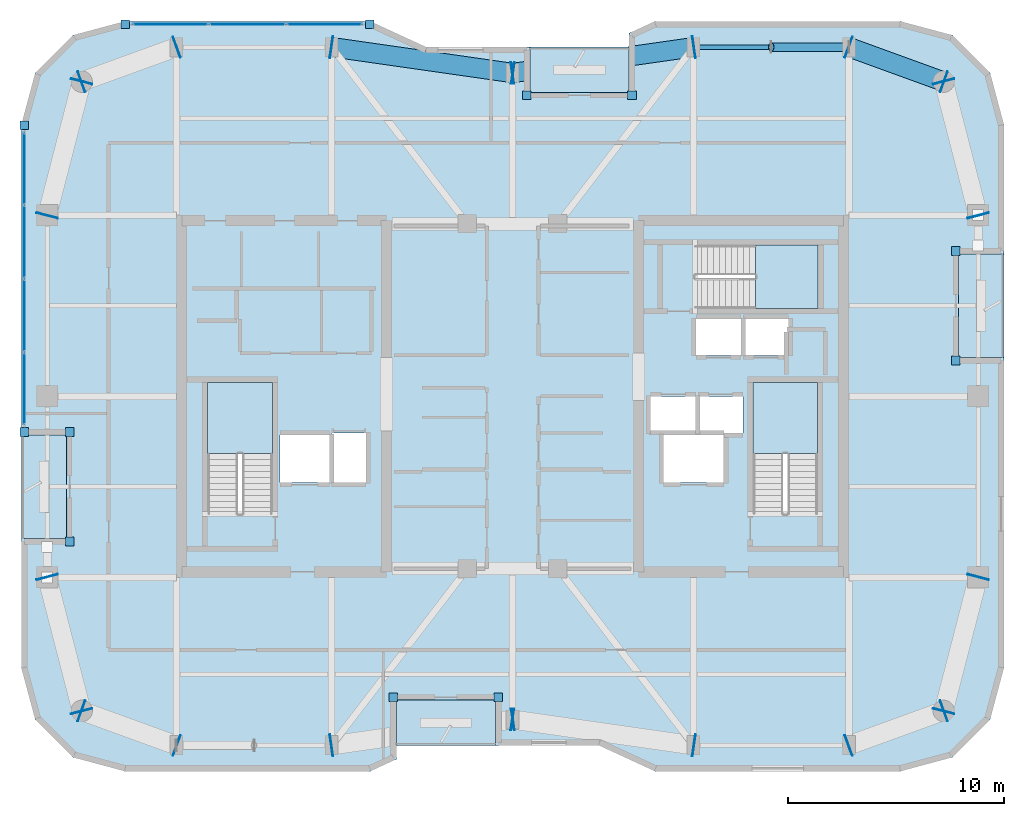
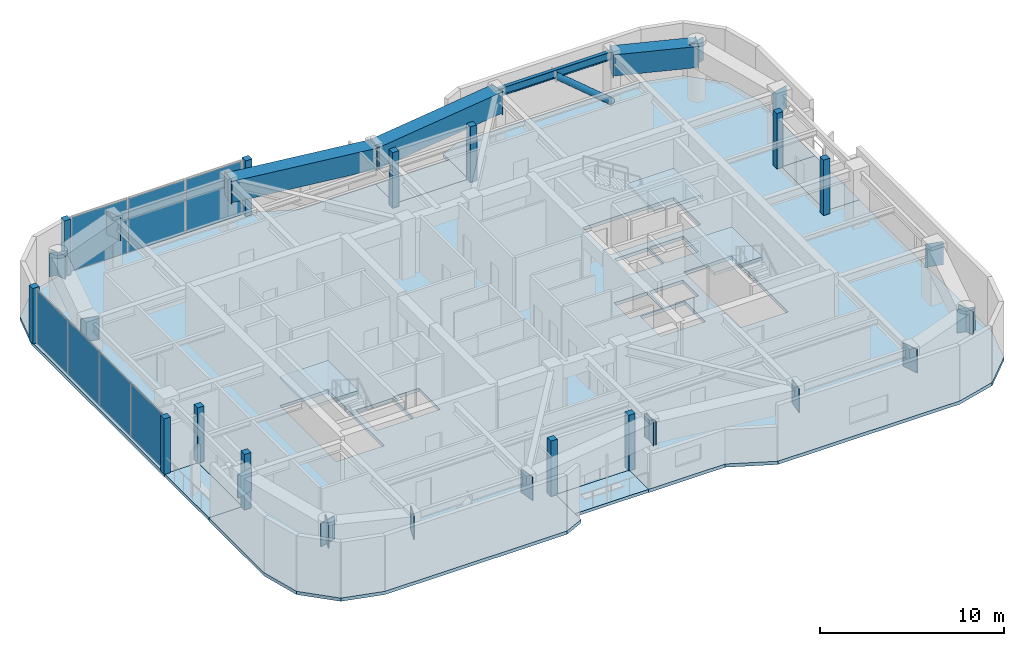
# One storey, part 7 of 15: 43 plates, 8 slabs, 4 beams, 1 member, 5 elements without a shape of their own.
"""IFC4 building model written with IfcOpenShell, lengths in metres."""

from ifc_helpers import new_model, si_unit, direction, frame, origin, origin_2d, place, context, subcontext, project, spatial, polyline, rectangle, hollow_rectangle, hollow_circle, i_section, outline, extrude, material, layer, layer_set, material_profile, profile_set, type_object, element, aggregate, save


model = new_model("IFC4")

# Units and contexts
model_context = context("Model", 3, precision=1e-05, world=origin(), true_north=direction((0.0, 1.0)))
body_context = subcontext(model_context, "Body", "Model", "MODEL_VIEW")
ifc_project = project(units=[si_unit("LENGTHUNIT", "METRE"), si_unit("AREAUNIT", "SQUARE_METRE"), si_unit("VOLUMEUNIT", "CUBIC_METRE"), si_unit("PLANEANGLEUNIT", "RADIAN"), si_unit("MASSUNIT", "GRAM", prefix="KILO")], contexts=[model_context])

# Site, building, storey
site_placement = place(None, origin())
site = spatial("IfcSite", under=ifc_project, at=site_placement, CompositionType="ELEMENT")
building_placement = place(site_placement, origin())
building = spatial("IfcBuilding", under=site, at=building_placement, Name="Kiyonajd Concourse Tower", CompositionType="ELEMENT")
storey_placement = place(building_placement, frame((0.0, 0.0, 286.199951171875)))
storey = spatial("IfcBuildingStorey", under=building, at=storey_placement, Name="L72", CompositionType="ELEMENT", Elevation=286.199951171875)

# Beams
ifc_material_1 = material(Name="Steel ASTM A992 Grade 50", Category="steel")
ifc_material_profile_1 = material_profile(ifc_material_1, i_section(OverallWidth=0.2109375, OverallDepth=0.5390625, WebThickness=0.01171875, FlangeThickness=0.018798828125, at=origin_2d()), Name="W530X109")
ifc_profile_set_1 = profile_set([ifc_material_profile_1], Name="Steel ASTM A992 Grade 50")
beam_type_1 = type_object("IfcBeamType", Name="BM-SPAN-530B", PredefinedType="SPANDREL", material=ifc_profile_set_1)
beam_1_placement = place(storey_placement, frame((63.60009765625, 52.199951171875, 3.41064453125), z_axis=(-1.0, 0.0, 0.0), x_axis=(0.0, -1.0, 0.0)))
element("IfcBeam", 1, at=beam_1_placement, inside=storey, type_object=beam_type_1, Name="L72 Perimeter Bundled Tube Spandrel", PredefinedType="SPANDREL", context=body_context, shape_type="SweptSolid", body=[
    extrude(i_section(OverallWidth=0.2109375, OverallDepth=0.5390625, WebThickness=0.01171875, FlangeThickness=0.018798828125, at=origin_2d()), origin(), (0.0, 0.0, 1.0), 7.2001953125),
])
ifc_material_2 = material(Name="Steel ASTM A572 Grade 50", Category="steel")
ifc_material_profile_2 = material_profile(ifc_material_2, hollow_rectangle(XDim=0.89990234375, YDim=1.39990234375, WallThickness=0.070068359375, at=origin_2d()), Name="BOX-1400x900x70")
ifc_profile_set_2 = profile_set([ifc_material_profile_2], Name="Steel ASTM A572 Grade 50")
beam_type_2 = type_object("IfcBeamType", Name="BM-XFER-1400", PredefinedType="BEAM", material=ifc_profile_set_2)
beam_2_placement = place(storey_placement, frame((68.0, 50.60009765625, 2.97998046875), z_axis=(-0.939801036019, 0.341722127901, 0.0), x_axis=(-0.341722127901, -0.939801036019, 0.0)))
element("IfcBeam", 2, at=beam_2_placement, inside=storey, type_object=beam_type_2, Name="L72 Perimeter Bundled Tube Spandrel", PredefinedType="BEAM", context=body_context, shape_type="SweptSolid", body=[
    extrude(hollow_rectangle(XDim=0.89990234375, YDim=1.39990234375, WallThickness=0.070068359375, at=origin_2d()), origin(), (0.0, 0.0, 1.0), 4.681640625),
])
for number, where, z_axis, x_axis, name in (
    (3, (56.39990234375, 52.199951171875, 2.97998046875), (-0.989950069105, -0.141417328072, 0.0), (0.141417328072, -0.989950069105, 0.0), "L72 Perimeter Bundled Tube Spandrel"),
    (4, (48.0, 51.0, 2.97998046875), (-0.989950069105, 0.141417328072, 0.0), (-0.141417328072, -0.989950069105, 0.0), "L72 Perimeter Bundled Tube Spandrel"),
):
    element("IfcBeam", number, at=place(storey_placement, frame(where, z_axis=z_axis, x_axis=x_axis)), inside=storey, type_object=beam_type_2, Name=name, PredefinedType="BEAM", context=body_context, shape_type="SweptSolid", body=[
        extrude(hollow_rectangle(XDim=0.89990234375, YDim=1.39990234375, WallThickness=0.070068359375, at=origin_2d()), origin(), (0.0, 0.0, 1.0), 8.485107421875),
    ])

# Member
ifc_material_3 = material(Name="Steel ASTM A500 Grade C", Category="steel")
ifc_material_profile_3 = material_profile(ifc_material_3, hollow_circle(Radius=0.202880859375, WallThickness=0.01904296875, at=origin_2d()), Name="CHS-406x19")
ifc_profile_set_3 = profile_set([ifc_material_profile_3], Name="Steel ASTM A500 Grade C")
member_type = type_object("IfcMemberType", Name="MB-PB-HIGH", PredefinedType="BRACE", material=ifc_profile_set_3)
member_placement = place(storey_placement, frame((63.60009765625, 52.199951171875, 0.300048828125), z_axis=(-0.765082043761, 0.0, 0.643932811957), x_axis=(0.0, -1.0, 0.0)))
element("IfcMember", 5, at=member_placement, inside=storey, type_object=member_type, Name="L72 Upper Zone Hollow Tube Brace PBN", PredefinedType="BRACE", context=body_context, shape_type="SweptSolid", body=[
    extrude(hollow_circle(Radius=0.202880859375, WallThickness=0.01904296875, at=origin_2d()), origin(), (0.0, 0.0, 1.0), 4.70556640625),
])

# Plates
ifc_layer_1 = layer(ifc_material_2, 0.031982421875)
ifc_layer_set_1 = layer_set([ifc_layer_1], Name="Steel ASTM A572 Grade 50")
plate_type_1 = type_object("IfcPlateType", Name="PL-CAP-540", PredefinedType="USERDEFINED", material=ifc_layer_set_1)
for number, where, z_axis, x_axis, name in (
    (6, (26.397216796875, 27.610595703125, 2.2099609375), (0.0, 0.0, 1.0), (-0.249873048837, 0.968278606324, 0.0), "L72 Welded Box Girder End Cap"),
    (7, (28.002685546875, 21.389404296875, 2.2099609375), (0.0, 0.0, 1.0), (0.249873048837, -0.968278606324, 0.0), "L72 Welded Box Girder End Cap"),
    (8, (27.98974609375, 21.40380859375, 2.2099609375), (0.0, 0.0, 1.0), (-0.939811951086, 0.341692107891, 0.0), "L72 Welded Box Girder End Cap"),
    (9, (32.410400390625, 19.796142578125, 2.2099609375), (0.0, 0.0, 1.0), (0.939811951086, -0.341692107891, 0.0), "L72 Welded Box Girder End Cap"),
    (10, (39.589111328125, 19.79833984375, 2.2099609375), (0.0, 0.0, 1.0), (-0.989949746297, -0.141419587774, 0.0), "L72 Welded Box Girder End Cap"),
    (11, (48.010986328125, 21.001708984375, 2.2099609375), (0.0, 0.0, 1.0), (0.989949746297, 0.141419587774, 0.0), "L72 Welded Box Girder End Cap"),
    (12, (47.989013671875, 21.001708984375, 2.2099609375), (0.0, 0.0, 1.0), (-0.989949746297, 0.141419587774, 0.0), "L72 Welded Box Girder End Cap"),
    (13, (56.410888671875, 19.79833984375, 2.2099609375), (0.0, 0.0, 1.0), (0.989949746297, -0.141419587774, 0.0), "L72 Welded Box Girder End Cap"),
    (14, (63.589599609375, 19.796142578125, 2.2099609375), (0.0, 0.0, 1.0), (-0.939811951086, -0.341692107891, 0.0), "L72 Welded Box Girder End Cap"),
    (15, (68.01025390625, 21.40380859375, 2.2099609375), (0.0, 0.0, 1.0), (0.939811951086, 0.341692107891, 0.0), "L72 Welded Box Girder End Cap"),
    (16, (67.997314453125, 21.389404296875, 2.2099609375), (0.0, 0.0, 1.0), (-0.249873048837, -0.968278606324, 0.0), "L72 Welded Box Girder End Cap"),
    (17, (69.602783203125, 27.610595703125, 2.2099609375), (0.0, 0.0, 1.0), (0.249873048837, 0.968278606324, 0.0), "L72 Welded Box Girder End Cap"),
    (18, (69.602783203125, 44.389404296875, 2.2099609375), (0.0, 0.0, 1.0), (0.249873048837, -0.968278606324, 0.0), "L72 Welded Box Girder End Cap"),
    (19, (67.997314453125, 50.610595703125, 2.2099609375), (0.0, 0.0, 1.0), (-0.249873048837, 0.968278606324, 0.0), "L72 Welded Box Girder End Cap"),
    (20, (68.01025390625, 50.59619140625, 2.2099609375), (0.0, 0.0, 1.0), (0.939811951086, -0.341692107891, 0.0), "L72 Welded Box Girder End Cap"),
    (21, (63.589599609375, 52.203857421875, 2.2099609375), (0.0, 0.0, 1.0), (-0.939811951086, 0.341692107891, 0.0), "L72 Welded Box Girder End Cap"),
    (22, (56.410888671875, 52.20166015625, 2.2099609375), (0.0, 0.0, 1.0), (0.989949746297, 0.141419587774, 0.0), "L72 Welded Box Girder End Cap"),
    (23, (47.989013671875, 50.998291015625, 2.2099609375), (0.0, 0.0, 1.0), (-0.989949746297, -0.141419587774, 0.0), "L72 Welded Box Girder End Cap"),
    (24, (48.010986328125, 50.998291015625, 2.2099609375), (0.0, 0.0, 1.0), (0.989949746297, -0.141419587774, 0.0), "L72 Welded Box Girder End Cap"),
    (25, (39.589111328125, 52.20166015625, 2.2099609375), (0.0, 0.0, 1.0), (-0.989949746297, 0.141419587774, 0.0), "L72 Welded Box Girder End Cap"),
    (26, (32.410400390625, 52.203857421875, 2.2099609375), (0.0, 0.0, 1.0), (0.939811951086, 0.341692107891, 0.0), "L72 Welded Box Girder End Cap"),
    (27, (27.98974609375, 50.59619140625, 2.2099609375), (0.0, 0.0, 1.0), (-0.939811951086, -0.341692107891, 0.0), "L72 Welded Box Girder End Cap"),
    (28, (28.002685546875, 50.610595703125, 2.2099609375), (0.0, 0.0, 1.0), (0.249873048837, 0.968278606324, 0.0), "L72 Welded Box Girder End Cap"),
    (29, (26.397216796875, 44.389404296875, 2.2099609375), (0.0, 0.0, 1.0), (-0.249873048837, -0.968278606324, 0.0), "L72 Welded Box Girder End Cap"),
):
    element("IfcPlate", number, at=place(storey_placement, frame(where, z_axis=z_axis, x_axis=x_axis)), inside=storey, type_object=plate_type_1, Name=name, ObjectType="CAP PLATE", PredefinedType="USERDEFINED", context=body_context, shape_type="SweptSolid", body=[
        extrude(rectangle(XDim=0.035888671875, YDim=1.02001953125, at=origin_2d()), origin(), (0.0, 0.0, 1.0), 1.5400390625),
    ])

# Curtain wall, plates
ifc_material_4 = material(Name="Thermally Broken Anodised Aluminium", Category="aluminium")
ifc_layer_2 = layer(ifc_material_4, 0.179931640625)
ifc_layer_set_2 = layer_set([ifc_layer_2], Name="Thermally Broken Anodised Aluminium")
curtain_wall_type = type_object("IfcCurtainWallType", Name="CW-SYS-04", PredefinedType="NOTDEFINED", material=ifc_layer_set_2)
curtain_wall_1_placement = place(storey_placement, origin())
curtain_wall_1 = element("IfcCurtainWall", 30, at=curtain_wall_1_placement, inside=storey, type_object=curtain_wall_type, Name="L72 Unitised Curtain Wall CW4", PredefinedType="NOTDEFINED")
ifc_material_5 = material(Name="Double Low-E Insulated Glass", Category="glass")
ifc_layer_3 = layer(ifc_material_5, 0.033935546875)
ifc_layer_set_3 = layer_set([ifc_layer_3], Name="Double Low-E Insulated Glass")
plate_type_2 = type_object("IfcPlateType", Name="PL-CW-VIS34", PredefinedType="CURTAIN_PANEL", material=ifc_layer_set_3)
plate_1_placement = place(storey_placement, frame((25.340087890625, 36.35400390625, 0.06494140625), z_axis=(0.0, 0.0, 1.0), x_axis=(0.0, 1.0, 0.0)))
plate_1 = element("IfcPlate", 31, at=plate_1_placement, type_object=plate_type_2, Name="CW4 panel 1.1", PredefinedType="CURTAIN_PANEL", context=body_context, shape_type="SweptSolid", body=[
    extrude(rectangle(XDim=3.31787109375, YDim=0.033935546875, at=origin_2d()), origin(), (0.0, 0.0, 1.0), 3.550048828125),
])
plate_2_placement = place(storey_placement, frame((25.340087890625, 39.753173828125, 0.06494140625), z_axis=(0.0, 0.0, 1.0), x_axis=(0.0, 1.0, 0.0)))
plate_2 = element("IfcPlate", 32, at=plate_2_placement, type_object=plate_type_2, Name="CW4 panel 2.1", PredefinedType="CURTAIN_PANEL", context=body_context, shape_type="SweptSolid", body=[
    extrude(rectangle(XDim=3.350341796875, YDim=0.033935546875, at=origin_2d()), origin(), (0.0, 0.0, 1.0), 3.550048828125),
])
plate_3_placement = place(storey_placement, frame((25.340087890625, 43.16845703125, 0.06494140625), z_axis=(0.0, 0.0, 1.0), x_axis=(0.0, 1.0, 0.0)))
plate_3 = element("IfcPlate", 33, at=plate_3_placement, type_object=plate_type_2, Name="CW4 panel 3.1", PredefinedType="CURTAIN_PANEL", context=body_context, shape_type="SweptSolid", body=[
    extrude(rectangle(XDim=3.350341796875, YDim=0.033935546875, at=origin_2d()), origin(), (0.0, 0.0, 1.0), 3.550048828125),
])
plate_4_placement = place(storey_placement, frame((25.340087890625, 46.567626953125, 0.06494140625), z_axis=(0.0, 0.0, 1.0), x_axis=(0.0, 1.0, 0.0)))
plate_4 = element("IfcPlate", 34, at=plate_4_placement, type_object=plate_type_2, Name="CW4 panel 4.1", PredefinedType="CURTAIN_PANEL", context=body_context, shape_type="SweptSolid", body=[
    extrude(rectangle(XDim=3.31787109375, YDim=0.033935546875, at=origin_2d()), origin(), (0.0, 0.0, 1.0), 3.550048828125),
])
aggregate(curtain_wall_1, [plate_1, plate_2, plate_3, plate_4])

curtain_wall_2_placement = place(storey_placement, origin())
curtain_wall_2 = element("IfcCurtainWall", 35, at=curtain_wall_2_placement, inside=storey, type_object=curtain_wall_type, Name="L72 Unitised Curtain Wall CW4", PredefinedType="NOTDEFINED")
plate_5_placement = place(storey_placement, frame((32.119873046875, 53.260009765625, 0.06494140625), z_axis=(0.0, 0.0, 1.0), x_axis=(1.0, 0.0, 0.0)))
plate_5 = element("IfcPlate", 36, at=plate_5_placement, type_object=plate_type_2, Name="CW4 panel 1.1", PredefinedType="CURTAIN_PANEL", context=body_context, shape_type="SweptSolid", body=[
    extrude(rectangle(XDim=3.492919921875, YDim=0.033935546875, at=origin_2d()), origin(), (0.0, 0.0, 1.0), 3.550048828125),
])
plate_6_placement = place(storey_placement, frame((35.69384765625, 53.260009765625, 0.06494140625), z_axis=(0.0, 0.0, 1.0), x_axis=(1.0, 0.0, 0.0)))
plate_6 = element("IfcPlate", 37, at=plate_6_placement, type_object=plate_type_2, Name="CW4 panel 2.1", PredefinedType="CURTAIN_PANEL", context=body_context, shape_type="SweptSolid", body=[
    extrude(rectangle(XDim=3.525390625, YDim=0.033935546875, at=origin_2d()), origin(), (0.0, 0.0, 1.0), 3.550048828125),
])
plate_7_placement = place(storey_placement, frame((39.267822265625, 53.260009765625, 0.06494140625), z_axis=(0.0, 0.0, 1.0), x_axis=(1.0, 0.0, 0.0)))
plate_7 = element("IfcPlate", 38, at=plate_7_placement, type_object=plate_type_2, Name="CW4 panel 3.1", PredefinedType="CURTAIN_PANEL", context=body_context, shape_type="SweptSolid", body=[
    extrude(rectangle(XDim=3.492919921875, YDim=0.033935546875, at=origin_2d()), origin(), (0.0, 0.0, 1.0), 3.550048828125),
])
aggregate(curtain_wall_2, [plate_5, plate_6, plate_7])

# Plates
ifc_layer_4 = layer(ifc_material_4, 0.39990234375)
ifc_layer_set_4 = layer_set([ifc_layer_4], Name="Thermally Broken Anodised Aluminium")
plate_type_3 = type_object("IfcPlateType", Name="PL-JMB-400", PredefinedType="USERDEFINED", material=ifc_layer_set_4)
for number, where, z_axis, x_axis, name in (
    (39, (27.43994140625, 29.260009765625, 0.0), (0.0, 0.0, 1.0), (1.0, 0.0, 0.0), "L72 Facade Jamb Closure Plate 01"),
    (40, (27.43994140625, 34.340087890625, 0.0), (0.0, 0.0, 1.0), (1.0, 0.0, 0.0), "L72 Facade Jamb Closure Plate 02"),
    (41, (25.340087890625, 34.340087890625, 0.0), (0.0, 0.0, 1.0), (1.0, 0.0, 0.0), "L72 Facade Jamb Closure Plate 03"),
    (42, (25.340087890625, 48.58154296875, 0.0), (0.0, 0.0, 1.0), (1.0, 0.0, 0.0), "L72 Facade Jamb Closure Plate 04"),
    (43, (30.018310546875, 53.260009765625, 0.0), (0.0, 0.0, 1.0), (1.0, 0.0, 0.0), "L72 Facade Jamb Closure Plate 05"),
    (44, (41.369384765625, 53.260009765625, 0.0), (0.0, 0.0, 1.0), (1.0, 0.0, 0.0), "L72 Facade Jamb Closure Plate 06"),
    (45, (48.659912109375, 49.9599609375, 0.0), (0.0, 0.0, 1.0), (1.0, 0.0, 0.0), "L72 Facade Jamb Closure Plate 07"),
    (46, (53.5400390625, 49.9599609375, 0.0), (0.0, 0.0, 1.0), (1.0, 0.0, 0.0), "L72 Facade Jamb Closure Plate 08"),
    (47, (68.56005859375, 42.739990234375, 0.0), (0.0, 0.0, 1.0), (1.0, 0.0, 0.0), "L72 Facade Jamb Closure Plate 09"),
    (48, (68.56005859375, 37.659912109375, 0.0), (0.0, 0.0, 1.0), (1.0, 0.0, 0.0), "L72 Facade Jamb Closure Plate 10"),
    (49, (47.340087890625, 22.0400390625, 0.0), (0.0, 0.0, 1.0), (1.0, 0.0, 0.0), "L72 Facade Jamb Closure Plate 11"),
    (50, (42.4599609375, 22.0400390625, 0.0), (0.0, 0.0, 1.0), (1.0, 0.0, 0.0), "L72 Facade Jamb Closure Plate 12"),
):
    element("IfcPlate", number, at=place(storey_placement, frame(where, z_axis=z_axis, x_axis=x_axis)), inside=storey, type_object=plate_type_3, Name=name, ObjectType="JAMB PLATE", PredefinedType="USERDEFINED", context=body_context, shape_type="SweptSolid", body=[
        extrude(rectangle(XDim=0.39990234375, YDim=0.39990234375, at=origin_2d()), origin(), (0.0, 0.0, 1.0), 3.679931640625),
    ])

# Stair, slab
ifc_material_6 = material(Name="Concrete C40/50", Category="concrete")
stair_type = type_object("IfcStairType", Name="ST-DLG-22R", PredefinedType="HALF_TURN_STAIR", material=ifc_material_6)
stair_1_placement = place(storey_placement, origin())
stair_1 = element("IfcStair", 51, at=stair_1_placement, inside=storey, type_object=stair_type, Name="L72 Protected Exit Stair ST1", PredefinedType="HALF_TURN_STAIR")
ifc_layer_5 = layer(ifc_material_6, 0.199951171875)
ifc_layer_set_5 = layer_set([ifc_layer_5], Name="Concrete C40/50")
slab_type_1 = type_object("IfcSlabType", Name="SL-LND-200", PredefinedType="LANDING", material=ifc_layer_set_5)
slab_1_placement = place(storey_placement, frame((0.0, 0.0, 1.75)))
slab_1 = element("IfcSlab", 52, at=slab_1_placement, type_object=slab_type_1, Name="ST1 landing 1", PredefinedType="LANDING", context=body_context, shape_type="SweptSolid", body=[
    extrude(outline(polyline([(36.85009765625, 33.35009765625), (36.85009765625, 36.64990234375), (33.85009765625, 36.64990234375), (33.85009765625, 33.35009765625), (36.85009765625, 33.35009765625)])), origin(), (0.0, 0.0, 1.0), 0.199951171875),
])
aggregate(stair_1, [slab_1])

stair_2_placement = place(storey_placement, origin())
stair_2 = element("IfcStair", 53, at=stair_2_placement, inside=storey, type_object=stair_type, Name="L72 Protected Exit Stair ST2", PredefinedType="HALF_TURN_STAIR")
slab_2_placement = place(storey_placement, frame((0.0, 0.0, 1.75)))
slab_2 = element("IfcSlab", 54, at=slab_2_placement, type_object=slab_type_1, Name="ST2 landing 1", PredefinedType="LANDING", context=body_context, shape_type="SweptSolid", body=[
    extrude(outline(polyline([(62.14990234375, 33.35009765625), (62.14990234375, 36.64990234375), (59.14990234375, 36.64990234375), (59.14990234375, 33.35009765625), (62.14990234375, 33.35009765625)])), origin(), (0.0, 0.0, 1.0), 0.199951171875),
])
aggregate(stair_2, [slab_2])

stair_3_placement = place(storey_placement, origin())
stair_3 = element("IfcStair", 55, at=stair_3_placement, inside=storey, type_object=stair_type, Name="L72 Protected Exit Stair ST3", PredefinedType="HALF_TURN_STAIR")
slab_3_placement = place(storey_placement, frame((0.0, 0.0, 1.75)))
slab_3 = element("IfcSlab", 56, at=slab_3_placement, type_object=slab_type_1, Name="ST3 landing 1", PredefinedType="LANDING", context=body_context, shape_type="SweptSolid", body=[
    extrude(outline(polyline([(59.280029296875, 40.080078125), (62.179931640625, 40.080078125), (62.179931640625, 43.02001953125), (59.280029296875, 43.02001953125), (59.280029296875, 40.080078125)])), origin(), (0.0, 0.0, 1.0), 0.199951171875),
])
aggregate(stair_3, [slab_3])

# Slabs
ifc_material_7 = material(Name="Precast concrete C50/60", Category="concrete")
ifc_layer_6 = layer(ifc_material_7, 0.199951171875)
ifc_layer_set_6 = layer_set([ifc_layer_6], Name="Precast concrete C50/60")
slab_type_2 = type_object("IfcSlabType", Name="SL-LOG-200", PredefinedType="FLOOR", material=ifc_layer_set_6)
slab_4_placement = place(storey_placement, frame((0.0, 0.0, -0.199951171875)))
element("IfcSlab", 57, at=slab_4_placement, inside=storey, type_object=slab_type_2, Name="L72 Recessed Engawa Loggia Terrace Slab LOG-S", PredefinedType="FLOOR", context=body_context, shape_type="SweptSolid", body=[
    extrude(outline(polyline([(42.60009765625, 19.800048828125), (47.199951171875, 19.800048828125), (47.199951171875, 21.89990234375), (42.60009765625, 21.89990234375), (42.60009765625, 19.800048828125)])), origin(), (0.0, 0.0, 1.0), 0.199951171875),
])
slab_5_placement = place(storey_placement, frame((0.0, 0.0, -0.199951171875)))
element("IfcSlab", 58, at=slab_5_placement, inside=storey, type_object=slab_type_2, Name="L72 Recessed Engawa Loggia Terrace Slab LOG-N", PredefinedType="FLOOR", context=body_context, shape_type="SweptSolid", body=[
    extrude(outline(polyline([(48.800048828125, 50.10009765625), (53.39990234375, 50.10009765625), (53.39990234375, 52.199951171875), (48.800048828125, 52.199951171875), (48.800048828125, 50.10009765625)])), origin(), (0.0, 0.0, 1.0), 0.199951171875),
])
slab_6_placement = place(storey_placement, frame((0.0, 0.0, -0.199951171875)))
element("IfcSlab", 59, at=slab_6_placement, inside=storey, type_object=slab_type_2, Name="L72 Recessed Engawa Loggia Terrace Slab LOG-W", PredefinedType="FLOOR", context=body_context, shape_type="SweptSolid", body=[
    extrude(outline(polyline([(25.199951171875, 29.39990234375), (27.300048828125, 29.39990234375), (27.300048828125, 34.199951171875), (25.199951171875, 34.199951171875), (25.199951171875, 29.39990234375)])), origin(), (0.0, 0.0, 1.0), 0.199951171875),
])
slab_7_placement = place(storey_placement, frame((0.0, 0.0, -0.199951171875)))
element("IfcSlab", 60, at=slab_7_placement, inside=storey, type_object=slab_type_2, Name="L72 Recessed Engawa Loggia Terrace Slab LOG-E", PredefinedType="FLOOR", context=body_context, shape_type="SweptSolid", body=[
    extrude(outline(polyline([(68.699951171875, 37.800048828125), (70.800048828125, 37.800048828125), (70.800048828125, 42.60009765625), (68.699951171875, 42.60009765625), (68.699951171875, 37.800048828125)])), origin(), (0.0, 0.0, 1.0), 0.199951171875),
])
ifc_layer_7 = layer(ifc_material_6, 0.219970703125)
ifc_layer_set_7 = layer_set([ifc_layer_7], Name="Concrete C40/50")
slab_type_3 = type_object("IfcSlabType", Name="SL-TWR-220", PredefinedType="FLOOR", material=ifc_layer_set_7)
slab_8_placement = place(storey_placement, frame((0.0, 0.0, -0.219970703125)))
element("IfcSlab", 61, at=slab_8_placement, inside=storey, type_object=slab_type_3, Name="L72 Tower Conditioned Floor Slab", PredefinedType="FLOOR", context=body_context, shape_type="SweptSolid", body=[
    extrude(outline(polyline([(25.843017578125, 21.0), (25.199951171875, 23.39990234375), (25.199951171875, 29.39990234375), (27.300048828125, 29.39990234375), (27.300048828125, 34.199951171875), (25.199951171875, 34.199951171875), (25.199951171875, 48.60009765625), (25.843017578125, 51.0), (27.60009765625, 52.757080078125), (30.0, 53.39990234375), (41.39990234375, 53.39990234375), (44.0, 52.199951171875), (48.800048828125, 52.199951171875), (48.800048828125, 50.10009765625), (53.39990234375, 50.10009765625), (53.39990234375, 52.845947265625), (54.60009765625, 53.39990234375), (66.0, 53.39990234375), (68.39990234375, 52.757080078125), (70.156982421875, 51.0), (70.800048828125, 48.60009765625), (70.800048828125, 42.60009765625), (68.699951171875, 42.60009765625), (68.699951171875, 37.800048828125), (70.800048828125, 37.800048828125), (70.800048828125, 23.39990234375), (70.156982421875, 21.0), (68.39990234375, 19.242919921875), (66.0, 18.60009765625), (54.60009765625, 18.60009765625), (52.0, 19.800048828125), (47.199951171875, 19.800048828125), (47.199951171875, 21.89990234375), (42.60009765625, 21.89990234375), (42.60009765625, 19.154052734375), (41.39990234375, 18.60009765625), (30.0, 18.60009765625), (27.60009765625, 19.242919921875), (25.843017578125, 21.0)]), holes=[polyline([(39.5, 32.0), (37.199951171875, 32.0), (37.199951171875, 34.199951171875), (39.5, 34.199951171875), (39.5, 32.0)]), polyline([(57.800048828125, 32.0), (55.0, 32.0), (55.0, 34.199951171875), (57.800048828125, 34.199951171875), (57.800048828125, 32.0)]), polyline([(41.199951171875, 32.0), (39.60009765625, 32.0), (39.60009765625, 34.300048828125), (41.199951171875, 34.300048828125), (41.199951171875, 32.0)]), polyline([(33.85009765625, 30.550048828125), (33.85009765625, 36.64990234375), (36.85009765625, 36.64990234375), (36.85009765625, 30.550048828125), (33.85009765625, 30.550048828125)]), polyline([(59.14990234375, 30.550048828125), (59.14990234375, 36.64990234375), (62.14990234375, 36.64990234375), (62.14990234375, 30.550048828125), (59.14990234375, 30.550048828125)]), polyline([(56.5, 34.300048828125), (54.39990234375, 34.300048828125), (54.39990234375, 36.0), (56.5, 36.0), (56.5, 34.300048828125)]), polyline([(58.699951171875, 34.300048828125), (56.60009765625, 34.300048828125), (56.60009765625, 36.0), (58.699951171875, 36.0), (58.699951171875, 34.300048828125)]), polyline([(58.60009765625, 37.89990234375), (56.5, 37.89990234375), (56.5, 39.60009765625), (58.60009765625, 39.60009765625), (58.60009765625, 37.89990234375)]), polyline([(58.699951171875, 37.89990234375), (58.699951171875, 39.60009765625), (60.800048828125, 39.60009765625), (60.800048828125, 37.89990234375), (58.699951171875, 37.89990234375)]), polyline([(56.47998046875, 43.02001953125), (62.179931640625, 43.02001953125), (62.179931640625, 40.080078125), (56.47998046875, 40.080078125), (56.47998046875, 43.02001953125)])]), origin(), (0.0, 0.0, 1.0), 0.219970703125),
])

save(model, "model.ifc")
